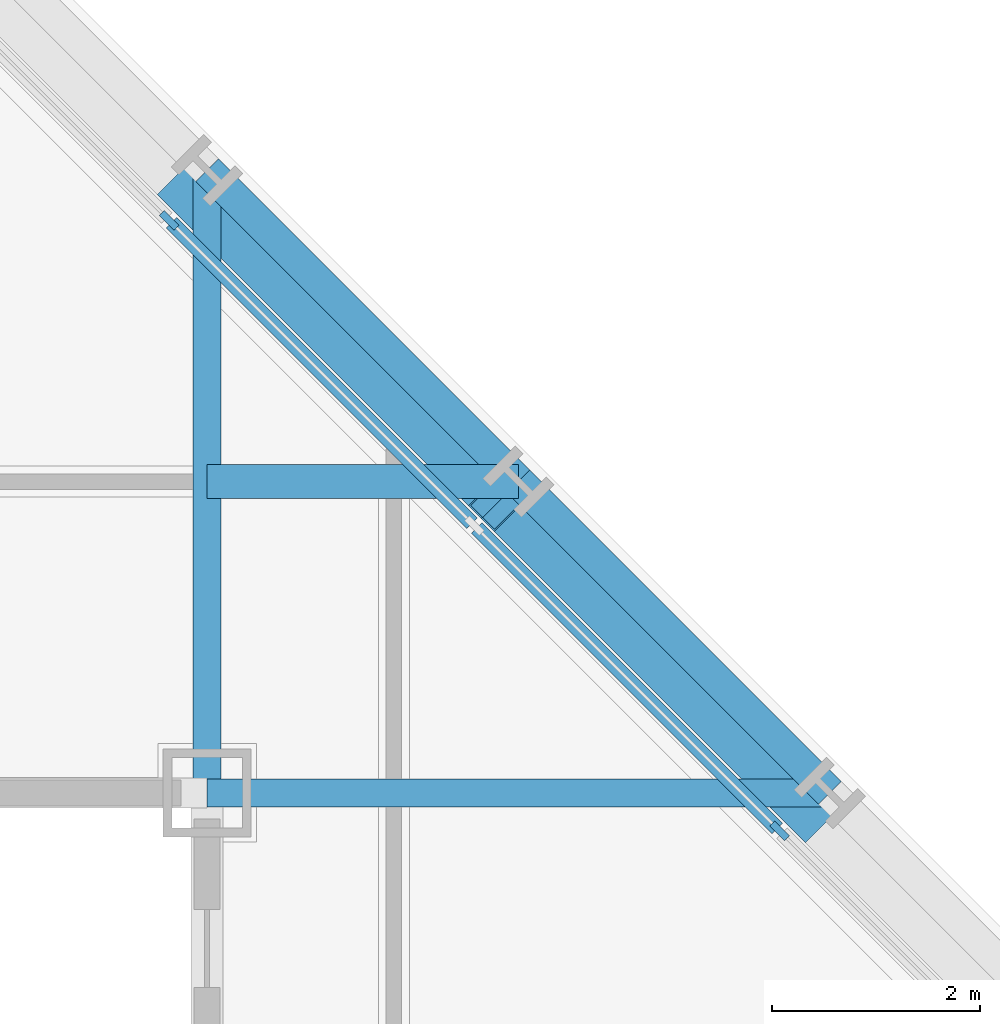
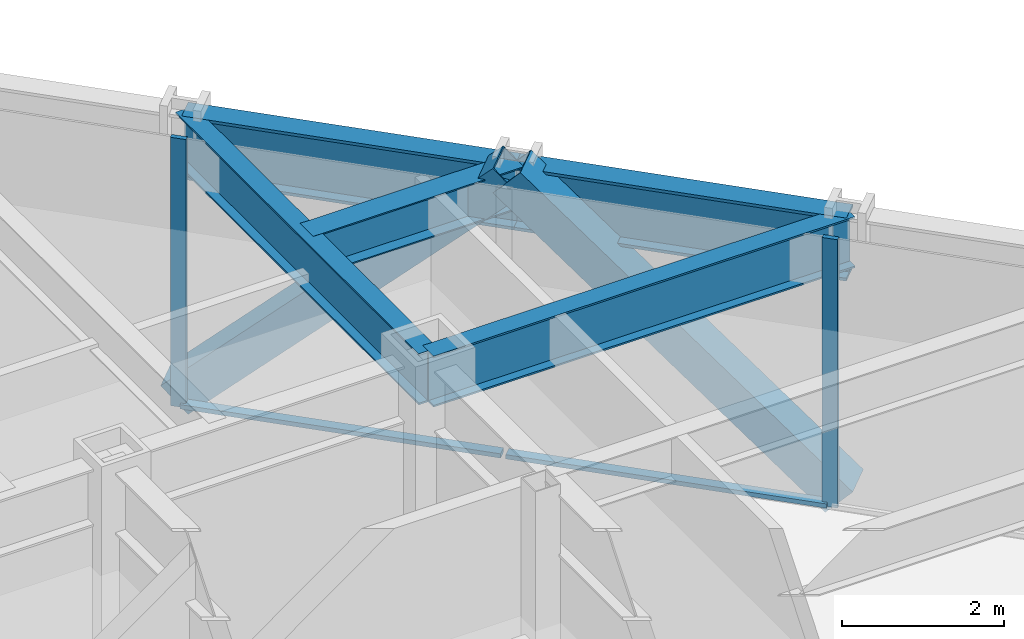
# One storey, part 8 of 16: 6 members, 5 beams, 1 element without a shape of its own.
"""IFC4 building model written with IfcOpenShell, lengths in metres."""

from ifc_helpers import new_model, si_unit, direction, frame, origin, origin_2d, place, context, subcontext, project, spatial, rectangle, hollow_rectangle, i_section, extrude, material, layer, layer_set, material_profile, profile_set, type_object, element, aggregate, save


model = new_model("IFC4")

# Units and contexts
model_context = context("Model", 3, precision=1e-05, world=origin(), true_north=direction((0.0, 1.0)))
body_context = subcontext(model_context, "Body", "Model", "MODEL_VIEW")
ifc_project = project(units=[si_unit("LENGTHUNIT", "METRE"), si_unit("AREAUNIT", "SQUARE_METRE"), si_unit("VOLUMEUNIT", "CUBIC_METRE"), si_unit("PLANEANGLEUNIT", "RADIAN"), si_unit("MASSUNIT", "GRAM", prefix="KILO")], contexts=[model_context])

# Site, building, storey
site_placement = place(None, origin())
site = spatial("IfcSite", under=ifc_project, at=site_placement, CompositionType="ELEMENT")
building_placement = place(site_placement, origin())
building = spatial("IfcBuilding", under=site, at=building_placement, Name="Chuquiago Exchange Tower", CompositionType="ELEMENT")
storey_placement = place(building_placement, frame((0.0, 0.0, 123.60009765625)))
storey = spatial("IfcBuildingStorey", under=building, at=storey_placement, Name="L26", CompositionType="ELEMENT", Elevation=123.60009765625)

# Beam
ifc_material_1 = material(Name="Steel ASTM A992", Category="steel")
ifc_material_profile_1 = material_profile(ifc_material_1, i_section(OverallWidth=0.3251953125, OverallDepth=0.612060546875, WebThickness=0.0126953125, FlangeThickness=0.01904296875, at=origin_2d()), Name="W24X104")
ifc_profile_set_1 = profile_set([ifc_material_profile_1], Name="Steel ASTM A992")
beam_type_1 = type_object("IfcBeamType", Name="B2 W24X104", PredefinedType="BEAM", material=ifc_profile_set_1)
beam_placement = place(storey_placement, frame((33.0, 36.0, 3.73388671875), z_axis=(1.0, 0.0, 0.0), x_axis=(0.0, 1.0, 0.0)))
element("IfcBeam", 1, at=beam_placement, inside=storey, type_object=beam_type_1, Name="FB-L27-corner-33_36-36_36-0", PredefinedType="BEAM", context=body_context, shape_type="SweptSolid", body=[
    extrude(i_section(OverallWidth=0.3251953125, OverallDepth=0.612060546875, WebThickness=0.0126953125, FlangeThickness=0.01904296875, at=origin_2d()), origin(), (0.0, 0.0, 1.0), 3.0),
])

# Curtain wall, members
ifc_material_2 = material(Name="Aluminium curtain wall system", Category="aluminium")
ifc_layer = layer(ifc_material_2, 0.199951171875)
ifc_layer_set = layer_set([ifc_layer], Name="CW3 facet curtain wall")
curtain_wall_type = type_object("IfcCurtainWallType", Name="CW3 facet curtain wall", PredefinedType="NOTDEFINED", material=ifc_layer_set)
curtain_wall_placement = place(storey_placement, origin())
curtain_wall = element("IfcCurtainWall", 2, at=curtain_wall_placement, inside=storey, type_object=curtain_wall_type, Name="CW3 curtain wall L26", PredefinedType="NOTDEFINED")
ifc_material_3 = material(Name="Aluminium mullion, pale anodised", Category="aluminium")
ifc_material_profile_2 = material_profile(ifc_material_3, rectangle(XDim=0.06494140625, YDim=0.199951171875, at=origin_2d()), Name="AL 65x200")
ifc_profile_set_2 = profile_set([ifc_material_profile_2], Name="Aluminium mullion, pale anodised")
member_type_1 = type_object("IfcMemberType", Name="CW3-M mullion 65x200", PredefinedType="MULLION", material=ifc_profile_set_2)
member_1_placement = place(storey_placement, frame((38.51708984375, 32.63427734375, 0.0), z_axis=(0.0, 0.0, 1.0), x_axis=(-0.707106781187, -0.707106781187, 0.0)))
member_1 = element("IfcMember", 3, at=member_1_placement, type_object=member_type_1, Name="CW3 mullion 3", PredefinedType="MULLION", context=body_context, shape_type="SweptSolid", body=[
    extrude(rectangle(XDim=0.06494140625, YDim=0.199951171875, at=origin_2d()), origin(), (0.0, 0.0, 1.0), 4.039794921875),
])
member_2_placement = place(storey_placement, frame((32.63427734375, 38.51708984375, 0.0), z_axis=(0.0, 0.0, 1.0), x_axis=(-0.707106781187, -0.707106781187, 0.0)))
member_2 = element("IfcMember", 4, at=member_2_placement, type_object=member_type_1, Name="CW3 mullion 5", PredefinedType="MULLION", context=body_context, shape_type="SweptSolid", body=[
    extrude(rectangle(XDim=0.06494140625, YDim=0.199951171875, at=origin_2d()), origin(), (0.0, 0.0, 1.0), 4.039794921875),
])
ifc_material_4 = material(Name="Aluminium transom, pale anodised", Category="aluminium")
ifc_material_profile_3 = material_profile(ifc_material_4, rectangle(XDim=0.139892578125, YDim=0.06494140625, at=origin_2d()), Name="AL 140x65")
ifc_profile_set_3 = profile_set([ifc_material_profile_3], Name="Aluminium transom, pale anodised")
member_type_2 = type_object("IfcMemberType", Name="CW3-T transom 65x140", PredefinedType="MULLION", material=ifc_profile_set_3)
member_3_placement = place(storey_placement, frame((38.494140625, 32.6572265625, 0.032470703125), z_axis=(-0.707106781187, 0.707106781187, 0.0), x_axis=(-0.707106781187, -0.707106781187, 0.0)))
member_3 = element("IfcMember", 5, at=member_3_placement, type_object=member_type_2, Name="CW3 transom 3.1", PredefinedType="MULLION", context=body_context, shape_type="SweptSolid", body=[
    extrude(rectangle(XDim=0.139892578125, YDim=0.06494140625, at=origin_2d()), origin(), (0.0, 0.0, 1.0), 4.094970703125),
])
member_4_placement = place(storey_placement, frame((35.552734375, 35.5986328125, 0.032470703125), z_axis=(-0.707106781187, 0.707106781187, 0.0), x_axis=(-0.707106781187, -0.707106781187, 0.0)))
member_4 = element("IfcMember", 6, at=member_4_placement, type_object=member_type_2, Name="CW3 transom 4.1", PredefinedType="MULLION", context=body_context, shape_type="SweptSolid", body=[
    extrude(rectangle(XDim=0.139892578125, YDim=0.06494140625, at=origin_2d()), origin(), (0.0, 0.0, 1.0), 4.094970703125),
])
aggregate(curtain_wall, [member_1, member_2, member_3, member_4])

# Beams
ifc_material_5 = material(Name="Steel ASTM A992", Category="steel")
ifc_material_profile_4 = material_profile(ifc_material_5, i_section(OverallWidth=0.2666015625, OverallDepth=0.76953125, WebThickness=0.015625, FlangeThickness=0.025390625, at=origin_2d()), Name="W30X132")
ifc_profile_set_4 = profile_set([ifc_material_profile_4], Name="Steel ASTM A992")
beam_type_2 = type_object("IfcBeamType", Name="G1 W30X132", PredefinedType="BEAM", material=ifc_profile_set_4)
for number, where, z_axis, x_axis, name in (
    (7, (33.0, 33.0, 3.655029296875), (0.0, 1.0, 0.0), (-1.0, 0.0, 0.0), "FB-L27-girder-33_33-33_39-0"),
    (8, (33.0, 33.0, 3.655029296875), (1.0, 0.0, 0.0), (0.0, 1.0, 0.0), "FB-L27-girder-33_33-39_33-0"),
):
    element("IfcBeam", number, at=place(storey_placement, frame(where, z_axis=z_axis, x_axis=x_axis)), inside=storey, type_object=beam_type_2, Name=name, PredefinedType="BEAM", context=body_context, shape_type="SweptSolid", body=[
        extrude(i_section(OverallWidth=0.2666015625, OverallDepth=0.76953125, WebThickness=0.015625, FlangeThickness=0.025390625, at=origin_2d()), origin(), (0.0, 0.0, 1.0), 6.0),
    ])

# Members
ifc_material_6 = material(Name="Steel ASTM A500 Grade C", Category="steel")
ifc_material_profile_5 = material_profile(ifc_material_6, hollow_rectangle(XDim=0.508056640625, YDim=0.508056640625, WallThickness=0.017822265625, at=origin_2d()), Name="HSS20X20X3/4")
ifc_profile_set_5 = profile_set([ifc_material_profile_5], Name="Steel ASTM A500 Grade C")
member_type_3 = type_object("IfcMemberType", Name="LB1 HSS20X20X3/4", PredefinedType="BRACE", material=ifc_profile_set_5)
for number, where, z_axis, x_axis, name in (
    (9, (38.822509765625, 32.822509765625, 0.0), (-0.51209198167, 0.51209198167, 0.689582195694), (-0.707106781187, -0.707106781187, 0.0), "LB-L26-39_33-36_36"),
    (10, (32.822509765625, 38.822509765625, 0.0), (0.51209198167, -0.51209198167, 0.689582195694), (0.707106781187, 0.707106781187, 0.0), "LB-L26-36_36-33_39"),
):
    element("IfcMember", number, at=place(storey_placement, frame(where, z_axis=z_axis, x_axis=x_axis)), inside=storey, type_object=member_type_3, Name=name, PredefinedType="BRACE", context=body_context, shape_type="SweptSolid", body=[
        extrude(hollow_rectangle(XDim=0.508056640625, YDim=0.508056640625, WallThickness=0.017822265625, at=origin_2d()), origin(), (0.0, 0.0, 1.0), 5.8583984375),
    ])

# Beams
ifc_material_7 = material(Name="Steel ASTM A992", Category="steel")
ifc_material_profile_6 = material_profile(ifc_material_7, i_section(OverallWidth=0.309814453125, OverallDepth=0.949951171875, WebThickness=0.0244140625, FlangeThickness=0.0439453125, at=origin_2d()), Name="W36X256")
ifc_profile_set_6 = profile_set([ifc_material_profile_6], Name="Steel ASTM A992")
beam_type_3 = type_object("IfcBeamType", Name="SP2 W36X256", PredefinedType="SPANDREL", material=ifc_profile_set_6)
for number, where, z_axis, x_axis, name in (
    (11, (39.0, 33.0, 3.56494140625), (-0.707106781187, 0.707106781187, 0.0), (-0.707106781187, -0.707106781187, 0.0), "SPB-L27-39_33-36_36"),
    (12, (36.0, 36.0, 3.56494140625), (-0.707106781187, 0.707106781187, 0.0), (-0.707106781187, -0.707106781187, 0.0), "SPB-L27-36_36-33_39"),
):
    element("IfcBeam", number, at=place(storey_placement, frame(where, z_axis=z_axis, x_axis=x_axis)), inside=storey, type_object=beam_type_3, Name=name, PredefinedType="SPANDREL", context=body_context, shape_type="SweptSolid", body=[
        extrude(i_section(OverallWidth=0.309814453125, OverallDepth=0.949951171875, WebThickness=0.0244140625, FlangeThickness=0.0439453125, at=origin_2d()), origin(), (0.0, 0.0, 1.0), 4.24267578125),
    ])

save(model, "model.ifc")
